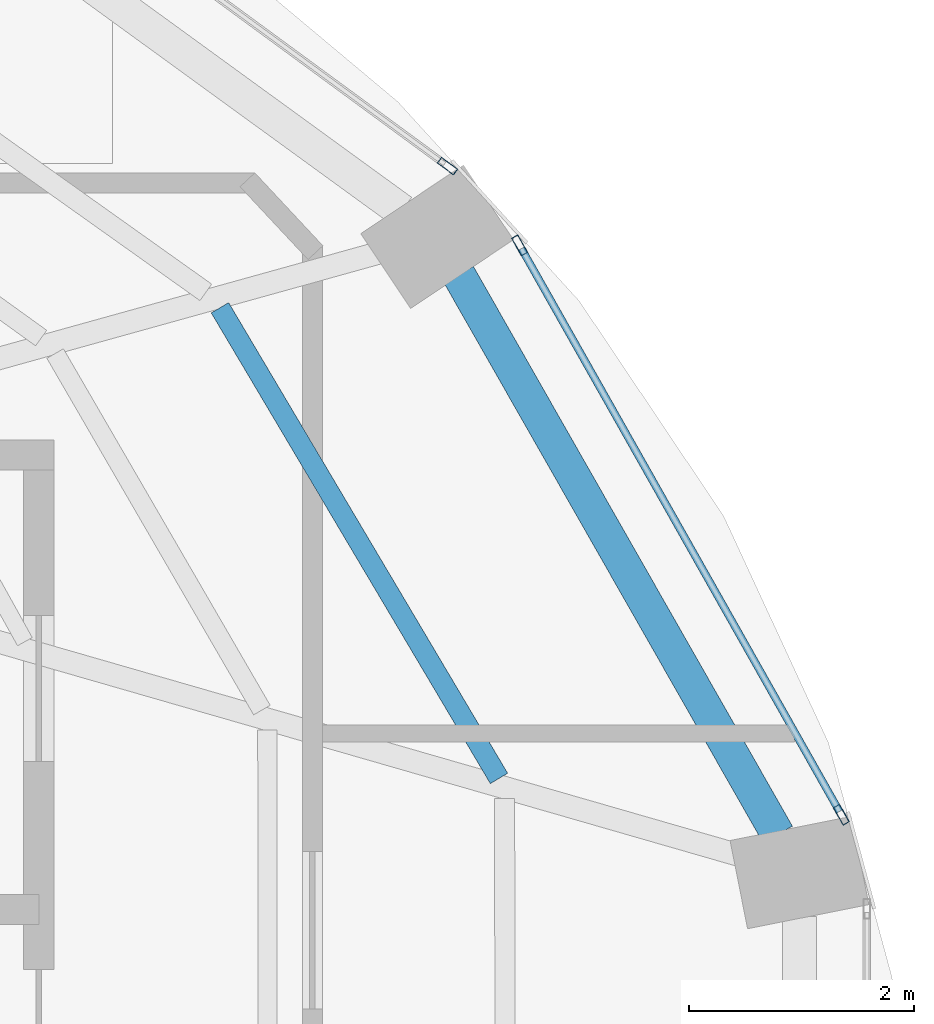
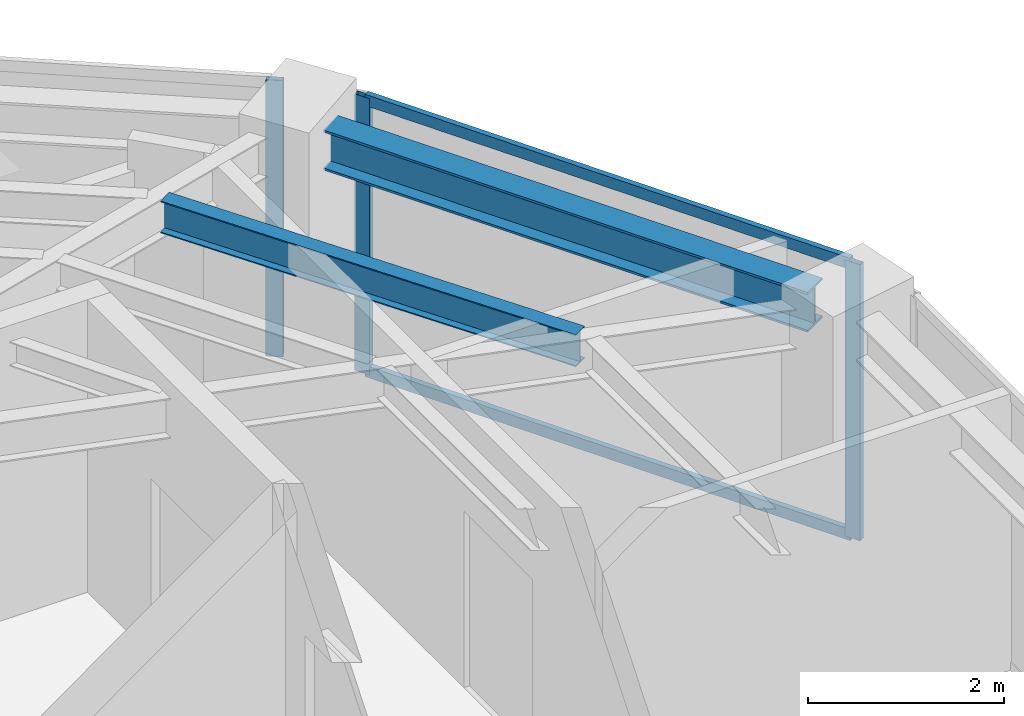
# One storey, part 6 of 13: 5 members, 2 beams, 2 elements without a shape of their own.
"""IFC4 building model written with IfcOpenShell, lengths in metres."""

import ifcopenshell
import ifcopenshell.guid

model = None  # the IFC model being written
_history = None  # IfcOwnerHistory: only IFC2X3 demands one
_inside = {}  # id of a spatial element -> (the spatial element, [elements in it])
_under = {}  # id of a project, library or spatial element -> (it, [spatial elements below it])
_declared = {}  # id of a project -> (the project, [libraries it declares])
_typed = {}  # id of a type object -> (the type object, [elements of that type])
_made_of = {}  # id of a material, layer set ... -> (it, [elements and type objects made of it])


def new_model(schema):
    """Start an empty IFC model of exactly this schema.

    Asked for "IFC4X3", IfcOpenShell would pick the latest addendum, in which some entities
    have other attributes; the version numbers below select the first issue.
    IFC2X3 requires an IfcOwnerHistory on every rooted entity: one is made here for all.
    """
    global model, _history
    if schema == "IFC4X3":
        model = ifcopenshell.file(schema_version=(4, 3, 0, 0))
    else:
        model = ifcopenshell.file(schema=schema)
    _inside.clear()
    _under.clear()
    _declared.clear()
    _typed.clear()
    _made_of.clear()
    _history = None
    if model.schema == "IFC2X3":
        org = make("IfcOrganization", Name="unknown")
        user = make(
            "IfcPersonAndOrganization",
            ThePerson=make("IfcPerson", FamilyName="unknown"),
            TheOrganization=org,
        )
        app = make(
            "IfcApplication",
            ApplicationDeveloper=org,
            Version="unknown",
            ApplicationFullName="unknown",
            ApplicationIdentifier="unknown",
        )
        _history = make(
            "IfcOwnerHistory",
            OwningUser=user,
            OwningApplication=app,
            ChangeAction="ADDED",
            CreationDate=0,
        )
    return model


def make(cls, **values):
    """One entity of the class cls with the attributes given. An attribute that is None is left unset."""
    return model.create_entity(
        cls, **{name: value for name, value in values.items() if value is not None}
    )


def rooted(cls, **values):
    """An entity with a GlobalId (a new one), such as an element, a storey or a relation."""
    return make(cls, GlobalId=ifcopenshell.guid.new(), OwnerHistory=_history, **values)


def si_unit(unit_type, name, prefix=None):
    """IfcSIUnit, for example si_unit("LENGTHUNIT", "METRE", prefix="MILLI")."""
    return make("IfcSIUnit", UnitType=unit_type, Prefix=prefix, Name=name)


def assignment(units):
    """IfcUnitAssignment: the units of a project."""
    return None if units is None else make("IfcUnitAssignment", Units=units)


def point(xyz):
    """IfcCartesianPoint."""
    return None if xyz is None else make("IfcCartesianPoint", Coordinates=xyz)


def direction(xyz):
    """IfcDirection."""
    return None if xyz is None else make("IfcDirection", DirectionRatios=xyz)


def frame(location, z_axis=None, x_axis=None):
    """IfcAxis2Placement3D, a coordinate frame: its origin and axes. An axis left out is left unset."""
    return make(
        "IfcAxis2Placement3D",
        Location=point(location),
        Axis=direction(z_axis),
        RefDirection=direction(x_axis),
    )


def frame_2d(location, x_axis=None):
    """IfcAxis2Placement2D, a coordinate frame in the plane: its origin and x axis."""
    return make(
        "IfcAxis2Placement2D", Location=point(location), RefDirection=direction(x_axis)
    )


def origin():
    """The frame at (0, 0, 0) with its axes left unset."""
    return frame((0.0, 0.0, 0.0))


def origin_2d():
    """The frame at (0, 0) in the plane with its x axis left unset."""
    return frame_2d((0.0, 0.0))


def place(relative_to, where):
    """IfcLocalPlacement: puts the frame where relative to a parent placement (None: the world)."""
    return make(
        "IfcLocalPlacement", PlacementRelTo=relative_to, RelativePlacement=where
    )


def context(
    kind, dimensions, precision=None, world=None, true_north=None, identifier=None
):
    """IfcGeometricRepresentationContext, for example the 3D "Model" context."""
    return make(
        "IfcGeometricRepresentationContext",
        ContextIdentifier=identifier,
        ContextType=kind,
        CoordinateSpaceDimension=dimensions,
        Precision=precision,
        WorldCoordinateSystem=world,
        TrueNorth=true_north,
    )


def subcontext(parent, identifier, kind, view, scale=None):
    """IfcGeometricRepresentationSubContext, for example "Body" below "Model"."""
    return make(
        "IfcGeometricRepresentationSubContext",
        ContextIdentifier=identifier,
        ContextType=kind,
        ParentContext=parent,
        TargetScale=scale,
        TargetView=view,
    )


def project(units=None, contexts=None):
    """IfcProject with its units and contexts."""
    return rooted(
        "IfcProject",
        Name="project",
        RepresentationContexts=contexts,
        UnitsInContext=assignment(units),
    )


def spatial(cls, under=None, at=None, **own):
    """A site, building, storey or space (cls), placed at a placement, below another one or the project."""
    s = rooted(cls, ObjectPlacement=at, **own)
    if under is not None:
        _under.setdefault(under.id(), (under, []))[1].append(s)
    return s


def profile(cls, at=None, kind="AREA", **sizes):
    """A parametric profile (cls). Its sizes go by their IFC names, for example OverallWidth=200.0."""
    return make(cls, ProfileType=kind, Position=at, **sizes)


def hollow_rectangle(**sizes):
    """IfcRectangleHollowProfileDef."""
    return profile("IfcRectangleHollowProfileDef", **sizes)


def i_section(**sizes):
    """IfcIShapeProfileDef."""
    return profile("IfcIShapeProfileDef", **sizes)


def extrude(swept, where, along, depth):
    """IfcExtrudedAreaSolid: the profile swept, set in the frame where, extruded along a direction by depth."""
    return make(
        "IfcExtrudedAreaSolid",
        SweptArea=swept,
        Position=where,
        ExtrudedDirection=direction(along),
        Depth=depth,
    )


def shape(context_of_items, identifier, shape_type, items):
    """IfcShapeRepresentation: the items that make up one representation, for example the "Body"."""
    return make(
        "IfcShapeRepresentation",
        ContextOfItems=context_of_items,
        RepresentationIdentifier=identifier,
        RepresentationType=shape_type,
        Items=items,
    )


def material(Name=None, Category=None):
    """IfcMaterial."""
    return make("IfcMaterial", Name=Name, Category=Category)


def layer(
    of_material, thickness, ventilated=None, Name=None, Category=None, Priority=None
):
    """IfcMaterialLayer: one layer of a wall or slab, of a material (None: an air gap)."""
    return make(
        "IfcMaterialLayer",
        Material=of_material,
        LayerThickness=thickness,
        IsVentilated=ventilated,
        Name=Name,
        Category=Category,
        Priority=Priority,
    )


def layer_set(layers, Name=None):
    """IfcMaterialLayerSet."""
    return make("IfcMaterialLayerSet", MaterialLayers=layers, LayerSetName=Name)


def material_profile(
    of_material, cross_section, Name=None, Category=None, Priority=None
):
    """IfcMaterialProfile: a cross section and its material."""
    return make(
        "IfcMaterialProfile",
        Name=Name,
        Material=of_material,
        Profile=cross_section,
        Priority=Priority,
        Category=Category,
    )


def profile_set(profiles, Name=None, composite=None):
    """IfcMaterialProfileSet."""
    return make(
        "IfcMaterialProfileSet",
        Name=Name,
        MaterialProfiles=profiles,
        CompositeProfile=composite,
    )


def made_of(thing, what):
    """Note that an element or type object is made of a material, layer set ...; save() writes the relation."""
    if what is not None:
        _made_of.setdefault(what.id(), (what, []))[1].append(thing)
    return thing


def type_object(cls, material=None, **own):
    """A type object (cls), such as IfcWallType, which elements share."""
    return made_of(rooted(cls, **own), material)


def element(
    cls,
    number,
    at=None,
    inside=None,
    cuts=None,
    type_object=None,
    material=None,
    context=None,
    identifier="Body",
    shape_type=None,
    held_by="IfcProductDefinitionShape",
    body=None,
    shapes=None,
    **own,
):
    """One element of the class cls, such as IfcWall. Its Tag is "e" and its number.

    at: its placement. inside: the storey or other place that contains it. cuts: it is an
    opening in that element (IfcRelVoidsElement). A single representation is given by context,
    identifier, shape_type and body (its items); several are given by shapes. held_by: the class
    of the entity that holds the representations. save() writes the other relations.
    """
    e = rooted(cls, Tag="e%d" % number, ObjectPlacement=at, **own)
    if body is not None:
        shapes = [shape(context, identifier, shape_type, body)]
    if shapes is not None:
        e.Representation = make(held_by, Representations=shapes)
    if inside is not None:
        _inside.setdefault(inside.id(), (inside, []))[1].append(e)
    if cuts is not None:
        rooted(
            "IfcRelVoidsElement", RelatingBuildingElement=cuts, RelatedOpeningElement=e
        )
    if type_object is not None:
        _typed.setdefault(type_object.id(), (type_object, []))[1].append(e)
    return made_of(e, material)


def aggregate(whole, parts):
    """IfcRelAggregates: a whole, such as a stair, and the parts it consists of."""
    return rooted("IfcRelAggregates", RelatingObject=whole, RelatedObjects=parts)


def save(model, path):
    """Write the relations noted so far, then the file.

    IfcRelAggregates (storeys below a building ...), IfcRelContainedInSpatialStructure (elements
    in a storey), IfcRelDefinesByType, IfcRelAssociatesMaterial and IfcRelDeclares: one each for
    every whole, place, type object, material and project.
    """
    for whole, parts in _under.values():
        aggregate(whole, parts)
    for where, things in _inside.values():
        rooted(
            "IfcRelContainedInSpatialStructure",
            RelatedElements=things,
            RelatingStructure=where,
        )
    for kind, things in _typed.values():
        rooted("IfcRelDefinesByType", RelatedObjects=things, RelatingType=kind)
    for what, things in _made_of.values():
        rooted("IfcRelAssociatesMaterial", RelatedObjects=things, RelatingMaterial=what)
    for by, libraries in _declared.values():
        rooted("IfcRelDeclares", RelatingContext=by, RelatedDefinitions=libraries)
    model.write(path)


model = new_model("IFC4")

# Units and contexts
model_context = context("Model", 3, precision=1e-05, world=origin(), true_north=direction((0.0, 1.0)))
body_context = subcontext(model_context, "Body", "Model", "MODEL_VIEW")
ifc_project = project(units=[si_unit("LENGTHUNIT", "METRE"), si_unit("AREAUNIT", "SQUARE_METRE"), si_unit("VOLUMEUNIT", "CUBIC_METRE"), si_unit("PLANEANGLEUNIT", "RADIAN"), si_unit("MASSUNIT", "GRAM", prefix="KILO")], contexts=[model_context])

# Site, building, storey
site_placement = place(None, origin())
site = spatial("IfcSite", under=ifc_project, at=site_placement, CompositionType="ELEMENT")
building_placement = place(site_placement, origin())
building = spatial("IfcBuilding", under=site, at=building_placement, Name="Lazwardi Medical Tower", CompositionType="ELEMENT")
storey_placement = place(building_placement, frame((0.0, 0.0, 273.263916015625)))
storey = spatial("IfcBuildingStorey", under=building, at=storey_placement, Name="L71", CompositionType="ELEMENT", Elevation=273.263916015625)

# Beams
ifc_material_1 = material(Name="Steel S355", Category="steel")
ifc_material_profile_1 = material_profile(ifc_material_1, i_section(OverallWidth=0.300048828125, OverallDepth=0.5, WebThickness=0.014404296875, FlangeThickness=0.028076171875, at=origin_2d()), Name="HEB 500")
ifc_profile_set_1 = profile_set([ifc_material_profile_1], Name="Steel S355")
beam_type_1 = type_object("IfcBeamType", Name="BM-RB-Z4", PredefinedType="BEAM", material=ifc_profile_set_1)
beam_1_placement = place(storey_placement, frame((56.991943359375, 32.601806640625, 3.197998046875), z_axis=(-0.495125273299, 0.868821594886, 0.0), x_axis=(-0.868821594886, -0.495125273299, 0.0)))
element("IfcBeam", 1, at=beam_1_placement, inside=storey, type_object=beam_type_1, Name="Ring beam RB-05 B05 L71", PredefinedType="BEAM", context=body_context, shape_type="SweptSolid", body=[
    extrude(i_section(OverallWidth=0.300048828125, OverallDepth=0.5, WebThickness=0.014404296875, FlangeThickness=0.028076171875, at=origin_2d()), origin(), (0.0, 0.0, 1.0), 5.734130859375),
])
ifc_material_profile_2 = material_profile(ifc_material_1, i_section(OverallWidth=0.179931640625, OverallDepth=0.39990234375, WebThickness=0.008544921875, FlangeThickness=0.013427734375, at=origin_2d()), Name="IPE 400")
ifc_profile_set_2 = profile_set([ifc_material_profile_2], Name="Steel S355")
beam_type_2 = type_object("IfcBeamType", Name="BM-SJ-01", PredefinedType="JOIST", material=ifc_profile_set_2)
beam_2_placement = place(storey_placement, frame((54.510986328125, 33.100830078125, 3.248046875), z_axis=(-0.510029083291, 0.860157156685, 0.0), x_axis=(-0.860157156685, -0.510029083291, 0.0)))
element("IfcBeam", 2, at=beam_2_placement, inside=storey, type_object=beam_type_2, Name="Secondary joist SJ-01 R1 B05 L71", PredefinedType="JOIST", context=body_context, shape_type="SweptSolid", body=[
    extrude(i_section(OverallWidth=0.179931640625, OverallDepth=0.39990234375, WebThickness=0.008544921875, FlangeThickness=0.013427734375, at=origin_2d()), origin(), (0.0, 0.0, 1.0), 4.87060546875),
])

# Curtain wall, members
ifc_material_2 = material(Name="Anodised bronze aluminium and solar control glazing", Category="aluminium")
ifc_layer = layer(ifc_material_2, 0.18994140625)
ifc_layer_set = layer_set([ifc_layer], Name="Anodised bronze aluminium and solar control glazing")
curtain_wall_type = type_object("IfcCurtainWallType", Name="CW-SYS-04", PredefinedType="NOTDEFINED", material=ifc_layer_set)
curtain_wall_1_placement = place(storey_placement, origin())
curtain_wall_1 = element("IfcCurtainWall", 3, at=curtain_wall_1_placement, inside=storey, type_object=curtain_wall_type, Name="L71 Unitised bronze curtain wall CW-04", PredefinedType="NOTDEFINED")
ifc_material_3 = material(Name="Anodised bronze aluminium", Category="aluminium")
ifc_material_profile_3 = material_profile(ifc_material_3, hollow_rectangle(XDim=0.06494140625, YDim=0.179931640625, WallThickness=0.00390625, at=origin_2d()), Name="ALU-MULLION 180x65x4")
ifc_profile_set_3 = profile_set([ifc_material_profile_3], Name="Anodised bronze aluminium")
member_type_1 = type_object("IfcMemberType", Name="CW-MUL-03", PredefinedType="MULLION", material=ifc_profile_set_3)
member_1_placement = place(storey_placement, frame((57.557373046875, 32.778076171875, 0.0), z_axis=(0.0, 0.0, 1.0), x_axis=(-0.870651436011, -0.491900474661, 0.0)))
member_1 = element("IfcMember", 4, at=member_1_placement, type_object=member_type_1, Name="CW-04 mullion 1", PredefinedType="MULLION", context=body_context, shape_type="SweptSolid", body=[
    extrude(hollow_rectangle(XDim=0.06494140625, YDim=0.179931640625, WallThickness=0.00390625, at=origin_2d()), origin(), (0.0, 0.0, 1.0), 3.447998046875),
])
member_2_placement = place(storey_placement, frame((54.6943359375, 37.845458984375, 0.0), z_axis=(0.0, 0.0, 1.0), x_axis=(-0.870651436011, -0.491900474661, 0.0)))
member_2 = element("IfcMember", 5, at=member_2_placement, type_object=member_type_1, Name="CW-04 mullion 2", PredefinedType="MULLION", context=body_context, shape_type="SweptSolid", body=[
    extrude(hollow_rectangle(XDim=0.06494140625, YDim=0.179931640625, WallThickness=0.00390625, at=origin_2d()), origin(), (0.0, 0.0, 1.0), 3.447998046875),
])

# Curtain wall, member
curtain_wall_2_placement = place(storey_placement, origin())
curtain_wall_2 = element("IfcCurtainWall", 6, at=curtain_wall_2_placement, inside=storey, type_object=curtain_wall_type, Name="L71 Unitised bronze curtain wall CW-04", PredefinedType="NOTDEFINED")
member_3_placement = place(storey_placement, frame((54.052001953125, 38.551513671875, 0.0), z_axis=(0.0, 0.0, 1.0), x_axis=(-0.591268230971, -0.806474971121, 0.0)))
member_3 = element("IfcMember", 7, at=member_3_placement, type_object=member_type_1, Name="CW-04 mullion 1", PredefinedType="MULLION", context=body_context, shape_type="SweptSolid", body=[
    extrude(hollow_rectangle(XDim=0.06494140625, YDim=0.179931640625, WallThickness=0.00390625, at=origin_2d()), origin(), (0.0, 0.0, 1.0), 3.447998046875),
])
aggregate(curtain_wall_2, [member_3])

# Member
ifc_material_profile_4 = material_profile(ifc_material_3, hollow_rectangle(XDim=0.06494140625, YDim=0.139892578125, WallThickness=0.00341796875, at=origin_2d()), Name="ALU-TRANSOM 140x65x3.5")
ifc_profile_set_4 = profile_set([ifc_material_profile_4], Name="Anodised bronze aluminium")
member_type_2 = type_object("IfcMemberType", Name="CW-TRN-03", PredefinedType="USERDEFINED", material=ifc_profile_set_4)
member_4_placement = place(storey_placement, frame((57.541259765625, 32.806396484375, 0.032470703125), z_axis=(-0.491879719484, 0.87066316194, 0.0), x_axis=(-0.87066316194, -0.491879719484, 0.0)))
member_4 = element("IfcMember", 8, at=member_4_placement, type_object=member_type_2, Name="CW-04 transom 1.1", ObjectType="TRANSOM", PredefinedType="USERDEFINED", context=body_context, shape_type="SweptSolid", body=[
    extrude(hollow_rectangle(XDim=0.06494140625, YDim=0.139892578125, WallThickness=0.00341796875, at=origin_2d()), origin(), (0.0, 0.0, 1.0), 5.755126953125),
])

member_5_placement = place(storey_placement, frame((57.541259765625, 32.806396484375, 3.41552734375), z_axis=(-0.491879719484, 0.87066316194, 0.0), x_axis=(-0.87066316194, -0.491879719484, 0.0)))
member_5 = element("IfcMember", 9, at=member_5_placement, type_object=member_type_2, Name="CW-04 transom 1.2", ObjectType="TRANSOM", PredefinedType="USERDEFINED", context=body_context, shape_type="SweptSolid", body=[
    extrude(hollow_rectangle(XDim=0.06494140625, YDim=0.139892578125, WallThickness=0.00341796875, at=origin_2d()), origin(), (0.0, 0.0, 1.0), 5.755126953125),
])

aggregate(curtain_wall_1, [member_1, member_2, member_4, member_5])

save(model, "model.ifc")
